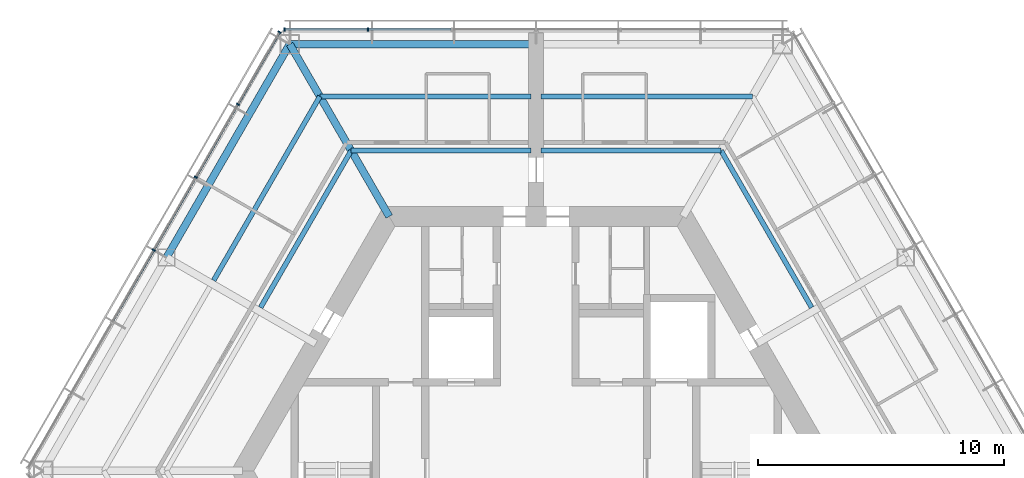
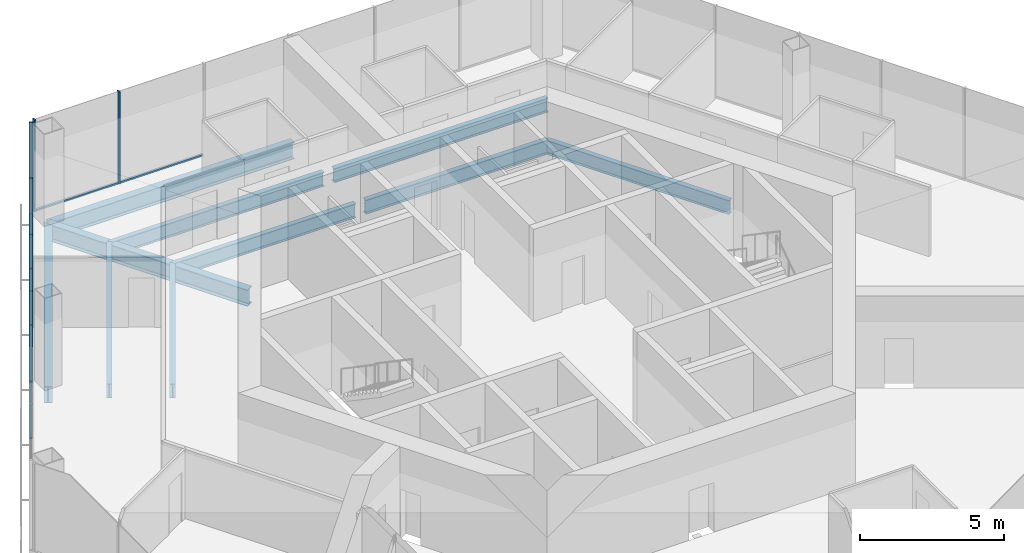
# One storey, part 6 of 15: 12 members, 10 beams, 2 elements without a shape of their own.
"""IFC4 building model written with IfcOpenShell, lengths in metres."""

from ifc_helpers import new_model, si_unit, direction, frame, origin, origin_2d, place, context, subcontext, project, spatial, rectangle, i_section, extrude, material, material_profile, profile_set, type_object, element, aggregate, save


model = new_model("IFC4")

# Units and contexts
model_context = context("Model", 3, precision=1e-05, world=origin(), true_north=direction((0.0, 1.0)))
body_context = subcontext(model_context, "Body", "Model", "MODEL_VIEW")
ifc_project = project(units=[si_unit("LENGTHUNIT", "METRE"), si_unit("AREAUNIT", "SQUARE_METRE"), si_unit("VOLUMEUNIT", "CUBIC_METRE"), si_unit("PLANEANGLEUNIT", "RADIAN"), si_unit("MASSUNIT", "GRAM", prefix="KILO")], contexts=[model_context])

# Site, building, storey
site_placement = place(None, origin())
site = spatial("IfcSite", under=ifc_project, at=site_placement, CompositionType="ELEMENT")
building_placement = place(site_placement, origin())
building = spatial("IfcBuilding", under=site, at=building_placement, Name="Kasaneha Research Tower", CompositionType="ELEMENT")
storey_placement = place(building_placement, frame((0.0, 0.0, 244.0)))
storey = spatial("IfcBuildingStorey", under=building, at=storey_placement, Name="L61", CompositionType="ELEMENT", Elevation=244.0)

# Beams
ifc_material_1 = material(Name="Steel SN490B", Category="steel")
ifc_material_profile_1 = material_profile(ifc_material_1, i_section(OverallWidth=0.199951171875, OverallDepth=0.60009765625, WebThickness=0.010986328125, FlangeThickness=0.01708984375, FilletRadius=0.012939453125, at=origin_2d()), Name="H-600x200x11x17")
ifc_profile_set_1 = profile_set([ifc_material_profile_1], Name="Steel SN490B")
beam_type_1 = type_object("IfcBeamType", Name="B1-3 secondary beam H-600x200x11x17", PredefinedType="JOIST", material=ifc_profile_set_1)
beam_1_placement = place(storey_placement, frame((7.505615234375, 13.0, -0.449951171875), z_axis=(0.499994443168, -0.866028611999, 0.0), x_axis=(0.866028611999, 0.499994443168, 0.0)))
element("IfcBeam", 1, at=beam_1_placement, inside=storey, type_object=beam_type_1, Name="Secondary beam RS030R1 L61", PredefinedType="JOIST", context=body_context, shape_type="SweptSolid", body=[
    extrude(i_section(OverallWidth=0.199951171875, OverallDepth=0.60009765625, WebThickness=0.010986328125, FlangeThickness=0.01708984375, FilletRadius=0.012939453125, at=origin_2d()), origin(), (0.0, 0.0, 1.0), 7.35546875),
])
beam_2_placement = place(storey_placement, frame((7.505615234375, 13.0, -0.449951171875), z_axis=(-1.0, 0.0, 0.0), x_axis=(0.0, -1.0, 0.0)))
element("IfcBeam", 2, at=beam_2_placement, inside=storey, type_object=beam_type_1, Name="Secondary beam RS090L1 L61", PredefinedType="JOIST", context=body_context, shape_type="SweptSolid", body=[
    extrude(i_section(OverallWidth=0.199951171875, OverallDepth=0.60009765625, WebThickness=0.010986328125, FlangeThickness=0.01708984375, FilletRadius=0.012939453125, at=origin_2d()), origin(), (0.0, 0.0, 1.0), 7.3056640625),
])
beam_3_placement = place(storey_placement, frame((8.775634765625, 15.199951171875, -0.449951171875), z_axis=(-1.0, 0.0, 0.0), x_axis=(0.0, -1.0, 0.0)))
element("IfcBeam", 3, at=beam_3_placement, inside=storey, type_object=beam_type_1, Name="Secondary beam RS090L2 L61", PredefinedType="JOIST", context=body_context, shape_type="SweptSolid", body=[
    extrude(i_section(OverallWidth=0.199951171875, OverallDepth=0.60009765625, WebThickness=0.010986328125, FlangeThickness=0.01708984375, FilletRadius=0.012939453125, at=origin_2d()), origin(), (0.0, 0.0, 1.0), 8.57568359375),
])
beam_4_placement = place(storey_placement, frame((-7.505615234375, 13.0, -0.449951171875), z_axis=(1.0, 0.0, 0.0), x_axis=(0.0, 1.0, 0.0)))
element("IfcBeam", 4, at=beam_4_placement, inside=storey, type_object=beam_type_1, Name="Secondary beam RS090R1 L61", PredefinedType="JOIST", context=body_context, shape_type="SweptSolid", body=[
    extrude(i_section(OverallWidth=0.199951171875, OverallDepth=0.60009765625, WebThickness=0.010986328125, FlangeThickness=0.01708984375, FilletRadius=0.012939453125, at=origin_2d()), origin(), (0.0, 0.0, 1.0), 7.3056640625),
])
beam_5_placement = place(storey_placement, frame((-8.775634765625, 15.199951171875, -0.449951171875), z_axis=(1.0, 0.0, 0.0), x_axis=(0.0, 1.0, 0.0)))
element("IfcBeam", 5, at=beam_5_placement, inside=storey, type_object=beam_type_1, Name="Secondary beam RS090R2 L61", PredefinedType="JOIST", context=body_context, shape_type="SweptSolid", body=[
    extrude(i_section(OverallWidth=0.199951171875, OverallDepth=0.60009765625, WebThickness=0.010986328125, FlangeThickness=0.01708984375, FilletRadius=0.012939453125, at=origin_2d()), origin(), (0.0, 0.0, 1.0), 8.57568359375),
])
beam_6_placement = place(storey_placement, frame((-7.505615234375, 13.0, -0.449951171875), z_axis=(-0.499994443168, -0.866028611999, 0.0), x_axis=(0.866028611999, -0.499994443168, 0.0)))
element("IfcBeam", 6, at=beam_6_placement, inside=storey, type_object=beam_type_1, Name="Secondary beam RS150L1 L61", PredefinedType="JOIST", context=body_context, shape_type="SweptSolid", body=[
    extrude(i_section(OverallWidth=0.199951171875, OverallDepth=0.60009765625, WebThickness=0.010986328125, FlangeThickness=0.01708984375, FilletRadius=0.012939453125, at=origin_2d()), origin(), (0.0, 0.0, 1.0), 7.35546875),
])
beam_7_placement = place(storey_placement, frame((-8.775634765625, 15.199951171875, -0.449951171875), z_axis=(-0.500017275495, -0.866015429543, 0.0), x_axis=(0.866015429543, -0.500017275495, 0.0)))
element("IfcBeam", 7, at=beam_7_placement, inside=storey, type_object=beam_type_1, Name="Secondary beam RS150L2 L61", PredefinedType="JOIST", context=body_context, shape_type="SweptSolid", body=[
    extrude(i_section(OverallWidth=0.199951171875, OverallDepth=0.60009765625, WebThickness=0.010986328125, FlangeThickness=0.01708984375, FilletRadius=0.012939453125, at=origin_2d()), origin(), (0.0, 0.0, 1.0), 8.625732421875),
])

# Curtain wall, members
ifc_material_2 = material(Name="Glass and aluminium", Category="aluminium")
curtain_wall_type = type_object("IfcCurtainWallType", Name="High-rise office curtain wall", PredefinedType="USERDEFINED", material=ifc_material_2)
curtain_wall_1_placement = place(storey_placement, origin())
curtain_wall_1 = element("IfcCurtainWall", 8, at=curtain_wall_1_placement, inside=storey, type_object=curtain_wall_type, Name="CW-O3 L61 run 02a", ObjectType="UNITISED CURTAIN WALL", PredefinedType="USERDEFINED")
ifc_material_3 = material(Name="Aluminium 6063-T6", Category="aluminium")
ifc_material_profile_2 = material_profile(ifc_material_3, rectangle(XDim=0.06005859375, YDim=0.139892578125, at=origin_2d()), Name="CW-O3 mullion 60x140")
ifc_profile_set_2 = profile_set([ifc_material_profile_2], Name="Aluminium 6063-T6")
member_type_1 = type_object("IfcMemberType", Name="CW-O3 mullion", PredefinedType="MULLION", material=ifc_profile_set_2)
member_1_placement = place(storey_placement, frame((-6.8310546875, 17.92041015625, 0.0), z_axis=(0.0, 0.0, 1.0), x_axis=(-1.0, 0.0, 0.0)))
member_1 = element("IfcMember", 9, at=member_1_placement, type_object=member_type_1, Name="CW-O3 mullion 6", PredefinedType="MULLION", context=body_context, shape_type="SweptSolid", body=[
    extrude(rectangle(XDim=0.06005859375, YDim=0.139892578125, at=origin_2d()), origin(), (0.0, 0.0, 1.0), 3.89990234375),
])
member_2_placement = place(storey_placement, frame((-10.21630859375, 17.92041015625, 0.0), z_axis=(0.0, 0.0, 1.0), x_axis=(-1.0, 0.0, 0.0)))
member_2 = element("IfcMember", 10, at=member_2_placement, type_object=member_type_1, Name="CW-O3 mullion 7", PredefinedType="MULLION", context=body_context, shape_type="SweptSolid", body=[
    extrude(rectangle(XDim=0.06005859375, YDim=0.139892578125, at=origin_2d()), origin(), (0.0, 0.0, 1.0), 3.89990234375),
])

curtain_wall_2_placement = place(storey_placement, origin())
curtain_wall_2 = element("IfcCurtainWall", 11, at=curtain_wall_2_placement, inside=storey, type_object=curtain_wall_type, Name="CW-O3 L61 run 03a", ObjectType="UNITISED CURTAIN WALL", PredefinedType="USERDEFINED")
member_3_placement = place(storey_placement, frame((-10.411376953125, 17.807861328125, 0.0), z_axis=(0.0, 0.0, 1.0), x_axis=(-0.499999995722, -0.866025406254, 0.0)))
member_3 = element("IfcMember", 12, at=member_3_placement, type_object=member_type_1, Name="CW-O3 mullion 1", PredefinedType="MULLION", context=body_context, shape_type="SweptSolid", body=[
    extrude(rectangle(XDim=0.06005859375, YDim=0.139892578125, at=origin_2d()), origin(), (0.0, 0.0, 1.0), 3.89990234375),
])
member_4_placement = place(storey_placement, frame((-12.104248046875, 14.8759765625, 0.0), z_axis=(0.0, 0.0, 1.0), x_axis=(-0.499999995722, -0.866025406254, 0.0)))
member_4 = element("IfcMember", 13, at=member_4_placement, type_object=member_type_1, Name="CW-O3 mullion 2", PredefinedType="MULLION", context=body_context, shape_type="SweptSolid", body=[
    extrude(rectangle(XDim=0.06005859375, YDim=0.139892578125, at=origin_2d()), origin(), (0.0, 0.0, 1.0), 3.89990234375),
])
member_5_placement = place(storey_placement, frame((-13.811767578125, 11.918212890625, 0.0), z_axis=(0.0, 0.0, 1.0), x_axis=(-0.499999995722, -0.866025406254, 0.0)))
member_5 = element("IfcMember", 14, at=member_5_placement, type_object=member_type_1, Name="CW-O3 mullion 3", PredefinedType="MULLION", context=body_context, shape_type="SweptSolid", body=[
    extrude(rectangle(XDim=0.06005859375, YDim=0.139892578125, at=origin_2d()), origin(), (0.0, 0.0, 1.0), 3.89990234375),
])
member_6_placement = place(storey_placement, frame((-15.51953125, 8.960205078125, 0.0), z_axis=(0.0, 0.0, 1.0), x_axis=(-0.499999995722, -0.866025406254, 0.0)))
member_6 = element("IfcMember", 15, at=member_6_placement, type_object=member_type_1, Name="CW-O3 mullion 4", PredefinedType="MULLION", context=body_context, shape_type="SweptSolid", body=[
    extrude(rectangle(XDim=0.06005859375, YDim=0.139892578125, at=origin_2d()), origin(), (0.0, 0.0, 1.0), 3.89990234375),
])

# Member
ifc_material_4 = material(Name="Aluminium 6063-T6", Category="aluminium")
ifc_material_profile_3 = material_profile(ifc_material_4, rectangle(XDim=0.10009765625, YDim=0.06005859375, at=origin_2d()), Name="CW-O3 transom 100x60")
ifc_profile_set_3 = profile_set([ifc_material_profile_3], Name="Aluminium 6063-T6")
member_type_2 = type_object("IfcMemberType", Name="CW-O3 transom", PredefinedType="USERDEFINED", material=ifc_profile_set_3)
member_7_placement = place(storey_placement, frame((-3.445556640625, 17.92041015625, 0.030029296875), z_axis=(-1.0, 0.0, 0.0), x_axis=(0.0, -1.0, 0.0)))
member_7 = element("IfcMember", 16, at=member_7_placement, type_object=member_type_2, Name="CW-O3 transom 5", ObjectType="TRANSOM", PredefinedType="USERDEFINED", context=body_context, shape_type="SweptSolid", body=[
    extrude(rectangle(XDim=0.10009765625, YDim=0.06005859375, at=origin_2d()), origin(), (0.0, 0.0, 1.0), 3.35546875),
])

member_8_placement = place(storey_placement, frame((-6.86083984375, 17.92041015625, 0.030029296875), z_axis=(-1.0, 0.0, 0.0), x_axis=(0.0, -1.0, 0.0)))
member_8 = element("IfcMember", 17, at=member_8_placement, type_object=member_type_2, Name="CW-O3 transom 6", ObjectType="TRANSOM", PredefinedType="USERDEFINED", context=body_context, shape_type="SweptSolid", body=[
    extrude(rectangle(XDim=0.10009765625, YDim=0.06005859375, at=origin_2d()), origin(), (0.0, 0.0, 1.0), 3.32568359375),
])

aggregate(curtain_wall_1, [member_1, member_2, member_7, member_8])

member_9_placement = place(storey_placement, frame((-10.426513671875, 17.781982421875, 0.030029296875), z_axis=(-0.49997666526, -0.866038875684, 0.0), x_axis=(0.866038875684, -0.49997666526, 0.0)))
member_9 = element("IfcMember", 18, at=member_9_placement, type_object=member_type_2, Name="CW-O3 transom 1", ObjectType="TRANSOM", PredefinedType="USERDEFINED", context=body_context, shape_type="SweptSolid", body=[
    extrude(rectangle(XDim=0.10009765625, YDim=0.06005859375, at=origin_2d()), origin(), (0.0, 0.0, 1.0), 3.325439453125),
])

member_10_placement = place(storey_placement, frame((-12.119140625, 14.85009765625, 0.030029296875), z_axis=(-0.499989072476, -0.866031712701, 0.0), x_axis=(0.866031712701, -0.499989072476, 0.0)))
member_10 = element("IfcMember", 19, at=member_10_placement, type_object=member_type_2, Name="CW-O3 transom 2", ObjectType="TRANSOM", PredefinedType="USERDEFINED", context=body_context, shape_type="SweptSolid", body=[
    extrude(rectangle(XDim=0.10009765625, YDim=0.06005859375, at=origin_2d()), origin(), (0.0, 0.0, 1.0), 3.35546875),
])

member_11_placement = place(storey_placement, frame((-13.826904296875, 11.89208984375, 0.030029296875), z_axis=(-0.500020578564, -0.866013522419, 0.0), x_axis=(0.866013522419, -0.500020578564, 0.0)))
member_11 = element("IfcMember", 20, at=member_11_placement, type_object=member_type_2, Name="CW-O3 transom 3", ObjectType="TRANSOM", PredefinedType="USERDEFINED", context=body_context, shape_type="SweptSolid", body=[
    extrude(rectangle(XDim=0.10009765625, YDim=0.06005859375, at=origin_2d()), origin(), (0.0, 0.0, 1.0), 3.355224609375),
])

member_12_placement = place(storey_placement, frame((-15.53466796875, 8.934326171875, 0.030029296875), z_axis=(-0.499989072476, -0.866031712701, 0.0), x_axis=(0.866031712701, -0.499989072476, 0.0)))
member_12 = element("IfcMember", 21, at=member_12_placement, type_object=member_type_2, Name="CW-O3 transom 4", ObjectType="TRANSOM", PredefinedType="USERDEFINED", context=body_context, shape_type="SweptSolid", body=[
    extrude(rectangle(XDim=0.10009765625, YDim=0.06005859375, at=origin_2d()), origin(), (0.0, 0.0, 1.0), 3.35546875),
])

aggregate(curtain_wall_2, [member_3, member_4, member_5, member_6, member_9, member_10, member_11, member_12])

# Beams
ifc_material_5 = material(Name="Steel SN490B", Category="steel")
ifc_material_profile_4 = material_profile(ifc_material_5, i_section(OverallWidth=0.300048828125, OverallDepth=0.699951171875, WebThickness=0.012939453125, FlangeThickness=0.02392578125, FilletRadius=0.01806640625, at=origin_2d()), Name="H-700x300x13x24")
ifc_profile_set_4 = profile_set([ifc_material_profile_4], Name="Steel SN490B")
beam_type_2 = type_object("IfcBeamType", Name="G1-3 radial girder H-700x300x13x24", PredefinedType="BEAM", material=ifc_profile_set_4)
beam_8_placement = place(storey_placement, frame((-5.961181640625, 10.324951171875, -0.5), z_axis=(-0.49999105496, 0.866030568144, 0.0), x_axis=(-0.866030568144, -0.49999105496, 0.0)))
element("IfcBeam", 22, at=beam_8_placement, inside=storey, type_object=beam_type_2, Name="Radial girder RV120 L61", PredefinedType="BEAM", context=body_context, shape_type="SweptSolid", body=[
    extrude(i_section(OverallWidth=0.300048828125, OverallDepth=0.699951171875, WebThickness=0.012939453125, FlangeThickness=0.02392578125, FilletRadius=0.01806640625, at=origin_2d()), origin(), (0.0, 0.0, 1.0), 8.077880859375),
])
ifc_material_6 = material(Name="Steel SN490B", Category="steel")
ifc_material_profile_5 = material_profile(ifc_material_6, i_section(OverallWidth=0.300048828125, OverallDepth=0.69189453125, WebThickness=0.012939453125, FlangeThickness=0.02001953125, FilletRadius=0.01806640625, at=origin_2d()), Name="H-692x300x13x20")
ifc_profile_set_5 = profile_set([ifc_material_profile_5], Name="Steel SN490B")
beam_type_3 = type_object("IfcBeamType", Name="G3-3 plate edge girder H-692x300x13x20", PredefinedType="BEAM", material=ifc_profile_set_5)
beam_9_placement = place(storey_placement, frame((-10.0, 17.320556640625, -0.49609375), z_axis=(1.0, 0.0, 0.0), x_axis=(0.0, 1.0, 0.0)))
element("IfcBeam", 23, at=beam_9_placement, inside=storey, type_object=beam_type_3, Name="Plate edge girder PEAN L61", PredefinedType="BEAM", context=body_context, shape_type="SweptSolid", body=[
    extrude(i_section(OverallWidth=0.300048828125, OverallDepth=0.69189453125, WebThickness=0.012939453125, FlangeThickness=0.02001953125, FilletRadius=0.01806640625, at=origin_2d()), origin(), (0.0, 0.0, 1.0), 9.800048828125),
])
ifc_material_7 = material(Name="Steel SN490B", Category="steel")
ifc_material_profile_6 = material_profile(ifc_material_7, i_section(OverallWidth=0.300048828125, OverallDepth=0.69189453125, WebThickness=0.012939453125, FlangeThickness=0.02001953125, FilletRadius=0.01806640625, at=origin_2d()), Name="H-692x300x13x20")
ifc_profile_set_6 = profile_set([ifc_material_profile_6], Name="Steel SN490B")
beam_type_4 = type_object("IfcBeamType", Name="SB1-3 spandrel beam H-692x300x13x20", PredefinedType="SPANDREL", material=ifc_profile_set_6)
beam_10_placement = place(storey_placement, frame((-10.0, 17.320556640625, -0.49609375), z_axis=(-0.499993662806, -0.866029062534, 0.0), x_axis=(0.866029062534, -0.499993662806, 0.0)))
element("IfcBeam", 24, at=beam_10_placement, inside=storey, type_object=beam_type_4, Name="Spandrel beam SR150L L61", PredefinedType="SPANDREL", context=body_context, shape_type="SweptSolid", body=[
    extrude(i_section(OverallWidth=0.300048828125, OverallDepth=0.69189453125, WebThickness=0.012939453125, FlangeThickness=0.02001953125, FilletRadius=0.01806640625, at=origin_2d()), origin(), (0.0, 0.0, 1.0), 10.000244140625),
])

save(model, "model.ifc")
